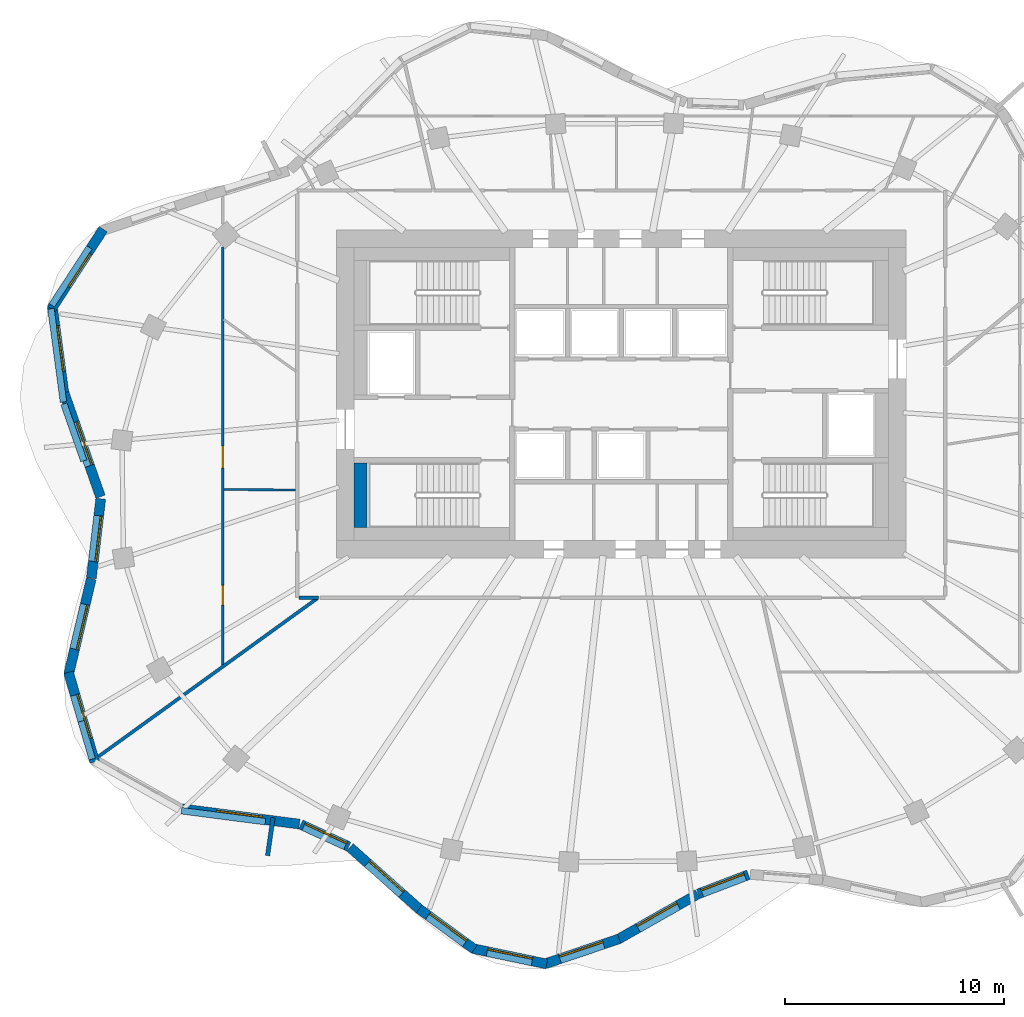
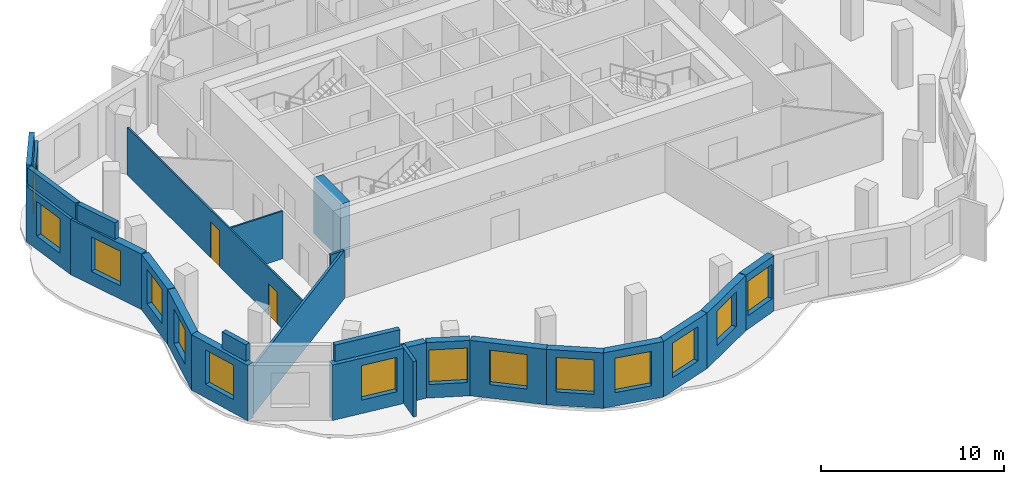
# One storey, part 3 of 9: 25 walls, 14 windows, 2 doors, 16 openings.
"""IFC4 building model written with IfcOpenShell, lengths in metres."""

from ifc_helpers import new_model, si_unit, direction, frame, frame_2d, origin, place, context, subcontext, project, spatial, rectangle, extrude, material, layer, layer_set, type_object, element, fill, save


model = new_model("IFC4")

# Units and contexts
model_context = context("Model", 3, precision=1e-05, world=origin(), true_north=direction((0.0, 1.0)))
body_context = subcontext(model_context, "Body", "Model", "MODEL_VIEW")
ifc_project = project(units=[si_unit("LENGTHUNIT", "METRE"), si_unit("AREAUNIT", "SQUARE_METRE"), si_unit("VOLUMEUNIT", "CUBIC_METRE"), si_unit("PLANEANGLEUNIT", "RADIAN"), si_unit("MASSUNIT", "GRAM", prefix="KILO")], contexts=[model_context])

# Site, building, storey
site_placement = place(None, origin())
site = spatial("IfcSite", under=ifc_project, at=site_placement, CompositionType="ELEMENT")
building_placement = place(site_placement, origin())
building = spatial("IfcBuilding", under=site, at=building_placement, Name="Rubra Terraces Tower", CompositionType="ELEMENT")
storey_placement = place(building_placement, frame((0.0, 0.0, 272.699951171875)))
storey = spatial("IfcBuildingStorey", under=building, at=storey_placement, Name="L67", CompositionType="ELEMENT", Elevation=272.699951171875)

# Wall, opening, window
ifc_material_1 = material(Name="Brick masonry red-brown", Category="masonry")
ifc_layer_1 = layer(ifc_material_1, 0.449951171875)
ifc_layer_set_1 = layer_set([ifc_layer_1], Name="Brick masonry red-brown")
wall_type_1 = type_object("IfcWallType", Name="Brick facade wall 450", PredefinedType="SOLIDWALL", material=ifc_layer_set_1)
wall_1_placement = place(storey_placement, frame((-23.656494140625, 12.027099609375, 0.0), z_axis=(0.0, 0.0, 1.0), x_axis=(-0.545637310328, -0.838021435035, 0.0)))
wall_1 = element("IfcWall", 1, at=wall_1_placement, inside=storey, type_object=wall_type_1, Name="Facade wall L67 bay 18", PredefinedType="SOLIDWALL", context=body_context, shape_type="SweptSolid", body=[
    extrude(rectangle(XDim=4.336181640625, YDim=0.449951171875, at=frame_2d((2.16796875, 0.0))), origin(), (0.0, 0.0, 1.0), 3.699951171875),
])
opening_1_placement = place(wall_1_placement, frame((1.268310546875, 0.0, 0.89990234375)))
opening_1 = element("IfcOpeningElement", 2, at=opening_1_placement, cuts=wall_1, Name="Opening W6B", PredefinedType="OPENING", context=body_context, shape_type="SweptSolid", body=[
    extrude(rectangle(XDim=1.800048828125, YDim=2.300048828125, at=frame_2d((0.89990234375, 1.14990234375))), frame((0.0, 0.23486328125, 0.0), z_axis=(0.0, -1.0, 0.0), x_axis=(1.0, 0.0, 0.0)), (0.0, 0.0, 1.0), 0.469970703125),
])
ifc_material_2 = material(Name="Clear glass in aluminium frame", Category="aluminium")
window_type_1 = type_object("IfcWindowType", Name="Fixed deep-set window at wind fin tall storey 1800 x 2300", PartitioningType="SINGLE_PANEL", PredefinedType="WINDOW", material=ifc_material_2)
window_1_placement = place(opening_1_placement, origin())
window_1 = element("IfcWindow", 3, at=window_1_placement, inside=storey, type_object=window_type_1, Name="Window L67 bay 18", OverallHeight=2.300048828125, OverallWidth=1.800048828125, PartitioningType="SINGLE_PANEL", PredefinedType="WINDOW", context=body_context, shape_type="SweptSolid", body=[
    extrude(rectangle(XDim=1.800048828125, YDim=2.300048828125, at=frame_2d((0.89990234375, 1.14990234375))), frame((0.0, 0.135009765625, 0.0), z_axis=(0.0, -1.0, 0.0), x_axis=(1.0, 0.0, 0.0)), (0.0, 0.0, 1.0), 0.06005859375),
])
fill(opening_1, window_1)

wall_2_placement = place(storey_placement, frame((-25.988037109375, 8.5458984375, 0.0), z_axis=(0.0, 0.0, 1.0), x_axis=(0.132518904574, -0.991180477981, 0.0)))
wall_2 = element("IfcWall", 4, at=wall_2_placement, inside=storey, type_object=wall_type_1, Name="Facade wall L67 bay 19", PredefinedType="SOLIDWALL", context=body_context, shape_type="SweptSolid", body=[
    extrude(rectangle(XDim=4.007080078125, YDim=0.449951171875, at=frame_2d((2.00341796875, 0.0))), origin(), (0.0, 0.0, 1.0), 3.699951171875),
])
opening_2_placement = place(wall_2_placement, frame((0.95361328125, 0.0, 0.89990234375)))
opening_2 = element("IfcOpeningElement", 5, at=opening_2_placement, cuts=wall_2, Name="Opening W1B", PredefinedType="OPENING", context=body_context, shape_type="SweptSolid", body=[
    extrude(rectangle(XDim=2.10009765625, YDim=2.300048828125, at=frame_2d((1.050048828125, 1.14990234375))), frame((0.0, 0.23486328125, 0.0), z_axis=(0.0, -1.0, 0.0), x_axis=(1.0, 0.0, 0.0)), (0.0, 0.0, 1.0), 0.469970703125),
])
window_type_2 = type_object("IfcWindowType", Name="Fixed deep-set window tall storey 2100 x 2300", PartitioningType="SINGLE_PANEL", PredefinedType="WINDOW", material=ifc_material_2)
window_2_placement = place(opening_2_placement, origin())
window_2 = element("IfcWindow", 6, at=window_2_placement, inside=storey, type_object=window_type_2, Name="Window L67 bay 19", OverallHeight=2.300048828125, OverallWidth=2.10009765625, PartitioningType="SINGLE_PANEL", PredefinedType="WINDOW", context=body_context, shape_type="SweptSolid", body=[
    extrude(rectangle(XDim=2.10009765625, YDim=2.300048828125, at=frame_2d((1.050048828125, 1.14990234375))), frame((0.0, 0.135009765625, 0.0), z_axis=(0.0, -1.0, 0.0), x_axis=(1.0, 0.0, 0.0)), (0.0, 0.0, 1.0), 0.06005859375),
])
fill(opening_2, window_2)

wall_3_placement = place(storey_placement, frame((-25.4677734375, 4.618896484375, 0.0), z_axis=(0.0, 0.0, 1.0), x_axis=(0.330751636181, -0.943717836625, 0.0)))
wall_3 = element("IfcWall", 7, at=wall_3_placement, inside=storey, type_object=wall_type_1, Name="Facade wall L67 bay 20", PredefinedType="SOLIDWALL", context=body_context, shape_type="SweptSolid", body=[
    extrude(rectangle(XDim=5.095458984375, YDim=0.449951171875, at=frame_2d((2.5478515625, 0.0))), origin(), (0.0, 0.0, 1.0), 3.699951171875),
])
opening_3_placement = place(wall_3_placement, frame((1.497802734375, 0.0, 0.89990234375)))
opening_3 = element("IfcOpeningElement", 8, at=opening_3_placement, cuts=wall_3, Name="Opening W1B", PredefinedType="OPENING", context=body_context, shape_type="SweptSolid", body=[
    extrude(rectangle(XDim=2.10009765625, YDim=2.300048828125, at=frame_2d((1.050048828125, 1.14990234375))), frame((0.0, 0.23486328125, 0.0), z_axis=(0.0, -1.0, 0.0), x_axis=(1.0, 0.0, 0.0)), (0.0, 0.0, 1.0), 0.469970703125),
])
window_3_placement = place(opening_3_placement, origin())
window_3 = element("IfcWindow", 9, at=window_3_placement, inside=storey, type_object=window_type_2, Name="Window L67 bay 20", OverallHeight=2.300048828125, OverallWidth=2.10009765625, PartitioningType="SINGLE_PANEL", PredefinedType="WINDOW", context=body_context, shape_type="SweptSolid", body=[
    extrude(rectangle(XDim=2.10009765625, YDim=2.300048828125, at=frame_2d((1.050048828125, 1.14990234375))), frame((0.0, 0.135009765625, 0.0), z_axis=(0.0, -1.0, 0.0), x_axis=(1.0, 0.0, 0.0)), (0.0, 0.0, 1.0), 0.06005859375),
])
fill(opening_3, window_3)

wall_4_placement = place(storey_placement, frame((-23.7705078125, -0.283935546875, 0.0), z_axis=(0.0, 0.0, 1.0), x_axis=(-0.11770503458, -0.993048601446, 0.0)))
wall_4 = element("IfcWall", 10, at=wall_4_placement, inside=storey, type_object=wall_type_1, Name="Facade wall L67 bay 21", PredefinedType="SOLIDWALL", context=body_context, shape_type="SweptSolid", body=[
    extrude(rectangle(XDim=3.65673828125, YDim=0.449951171875, at=frame_2d((1.828369140625, 0.0))), origin(), (0.0, 0.0, 1.0), 3.699951171875),
])
opening_4_placement = place(wall_4_placement, frame((0.7783203125, 0.0, 0.89990234375)))
opening_4 = element("IfcOpeningElement", 11, at=opening_4_placement, cuts=wall_4, Name="Opening W1B", PredefinedType="OPENING", context=body_context, shape_type="SweptSolid", body=[
    extrude(rectangle(XDim=2.10009765625, YDim=2.300048828125, at=frame_2d((1.050048828125, 1.14990234375))), frame((0.0, 0.23486328125, 0.0), z_axis=(0.0, -1.0, 0.0), x_axis=(1.0, 0.0, 0.0)), (0.0, 0.0, 1.0), 0.469970703125),
])
window_4_placement = place(opening_4_placement, origin())
window_4 = element("IfcWindow", 12, at=window_4_placement, inside=storey, type_object=window_type_2, Name="Window L67 bay 21", OverallHeight=2.300048828125, OverallWidth=2.10009765625, PartitioningType="SINGLE_PANEL", PredefinedType="WINDOW", context=body_context, shape_type="SweptSolid", body=[
    extrude(rectangle(XDim=2.10009765625, YDim=2.300048828125, at=frame_2d((1.050048828125, 1.14990234375))), frame((0.0, 0.135009765625, 0.0), z_axis=(0.0, -1.0, 0.0), x_axis=(1.0, 0.0, 0.0)), (0.0, 0.0, 1.0), 0.06005859375),
])
fill(opening_4, window_4)

wall_5_placement = place(storey_placement, frame((-24.204833984375, -3.942138671875, 0.0), z_axis=(0.0, 0.0, 1.0), x_axis=(-0.230089011282, -0.973169587938, 0.0)))
wall_5 = element("IfcWall", 13, at=wall_5_placement, inside=storey, type_object=wall_type_1, Name="Facade wall L67 bay 22", PredefinedType="SOLIDWALL", context=body_context, shape_type="SweptSolid", body=[
    extrude(rectangle(XDim=4.497802734375, YDim=0.449951171875, at=frame_2d((2.2490234375, 0.0))), origin(), (0.0, 0.0, 1.0), 3.699951171875),
])
opening_5_placement = place(wall_5_placement, frame((1.198974609375, 0.0, 0.89990234375)))
opening_5 = element("IfcOpeningElement", 14, at=opening_5_placement, cuts=wall_5, Name="Opening W1B", PredefinedType="OPENING", context=body_context, shape_type="SweptSolid", body=[
    extrude(rectangle(XDim=2.10009765625, YDim=2.300048828125, at=frame_2d((1.050048828125, 1.14990234375))), frame((0.0, 0.23486328125, 0.0), z_axis=(0.0, -1.0, 0.0), x_axis=(1.0, 0.0, 0.0)), (0.0, 0.0, 1.0), 0.469970703125),
])
window_5_placement = place(opening_5_placement, origin())
window_5 = element("IfcWindow", 15, at=window_5_placement, inside=storey, type_object=window_type_2, Name="Window L67 bay 22", OverallHeight=2.300048828125, OverallWidth=2.10009765625, PartitioningType="SINGLE_PANEL", PredefinedType="WINDOW", context=body_context, shape_type="SweptSolid", body=[
    extrude(rectangle(XDim=2.10009765625, YDim=2.300048828125, at=frame_2d((1.050048828125, 1.14990234375))), frame((0.0, 0.135009765625, 0.0), z_axis=(0.0, -1.0, 0.0), x_axis=(1.0, 0.0, 0.0)), (0.0, 0.0, 1.0), 0.06005859375),
])
fill(opening_5, window_5)

wall_6_placement = place(storey_placement, frame((-25.244140625, -8.209716796875, 0.0), z_axis=(0.0, 0.0, 1.0), x_axis=(0.281381418228, -0.95959600743, 0.0)))
wall_6 = element("IfcWall", 16, at=wall_6_placement, inside=storey, type_object=wall_type_1, Name="Facade wall L67 bay 23", PredefinedType="SOLIDWALL", context=body_context, shape_type="SweptSolid", body=[
    extrude(rectangle(XDim=4.260986328125, YDim=0.449951171875, at=frame_2d((2.13037109375, 0.0))), origin(), (0.0, 0.0, 1.0), 3.699951171875),
])
opening_6_placement = place(wall_6_placement, frame((1.08056640625, 0.0, 0.89990234375)))
opening_6 = element("IfcOpeningElement", 17, at=opening_6_placement, cuts=wall_6, Name="Opening W1B", PredefinedType="OPENING", context=body_context, shape_type="SweptSolid", body=[
    extrude(rectangle(XDim=2.10009765625, YDim=2.300048828125, at=frame_2d((1.050048828125, 1.14990234375))), frame((0.0, 0.23486328125, 0.0), z_axis=(0.0, -1.0, 0.0), x_axis=(1.0, 0.0, 0.0)), (0.0, 0.0, 1.0), 0.469970703125),
])
window_6_placement = place(opening_6_placement, origin())
window_6 = element("IfcWindow", 18, at=window_6_placement, inside=storey, type_object=window_type_2, Name="Window L67 bay 23", OverallHeight=2.300048828125, OverallWidth=2.10009765625, PartitioningType="SINGLE_PANEL", PredefinedType="WINDOW", context=body_context, shape_type="SweptSolid", body=[
    extrude(rectangle(XDim=2.10009765625, YDim=2.300048828125, at=frame_2d((1.050048828125, 1.14990234375))), frame((0.0, 0.135009765625, 0.0), z_axis=(0.0, -1.0, 0.0), x_axis=(1.0, 0.0, 0.0)), (0.0, 0.0, 1.0), 0.06005859375),
])
fill(opening_6, window_6)

wall_7_placement = place(storey_placement, frame((-20.197998046875, -14.427001953125, 0.0), z_axis=(0.0, 0.0, 1.0), x_axis=(0.991632531946, -0.129092686027, 0.0)))
wall_7 = element("IfcWall", 19, at=wall_7_placement, inside=storey, type_object=wall_type_1, Name="Facade wall L67 bay 25", PredefinedType="SOLIDWALL", context=body_context, shape_type="SweptSolid", body=[
    extrude(rectangle(XDim=5.546875, YDim=0.449951171875, at=frame_2d((2.7734375, 0.0))), origin(), (0.0, 0.0, 1.0), 3.699951171875),
])
opening_7_placement = place(wall_7_placement, frame((1.723388671875, 0.0, 0.89990234375)))
opening_7 = element("IfcOpeningElement", 20, at=opening_7_placement, cuts=wall_7, Name="Opening W1B", PredefinedType="OPENING", context=body_context, shape_type="SweptSolid", body=[
    extrude(rectangle(XDim=2.10009765625, YDim=2.300048828125, at=frame_2d((1.050048828125, 1.14990234375))), frame((0.0, 0.23486328125, 0.0), z_axis=(0.0, -1.0, 0.0), x_axis=(1.0, 0.0, 0.0)), (0.0, 0.0, 1.0), 0.469970703125),
])
window_7_placement = place(opening_7_placement, origin())
window_7 = element("IfcWindow", 21, at=window_7_placement, inside=storey, type_object=window_type_2, Name="Window L67 bay 25", OverallHeight=2.300048828125, OverallWidth=2.10009765625, PartitioningType="SINGLE_PANEL", PredefinedType="WINDOW", context=body_context, shape_type="SweptSolid", body=[
    extrude(rectangle(XDim=2.10009765625, YDim=2.300048828125, at=frame_2d((1.050048828125, 1.14990234375))), frame((0.0, 0.135009765625, 0.0), z_axis=(0.0, -1.0, 0.0), x_axis=(1.0, 0.0, 0.0)), (0.0, 0.0, 1.0), 0.06005859375),
])
fill(opening_7, window_7)

wall_8_placement = place(storey_placement, frame((-14.632568359375, -15.16162109375, 0.0), z_axis=(0.0, 0.0, 1.0), x_axis=(0.908483528811, -0.417920659791, 0.0)))
wall_8 = element("IfcWall", 22, at=wall_8_placement, inside=storey, type_object=wall_type_1, Name="Facade wall L67 bay 26", PredefinedType="SOLIDWALL", context=body_context, shape_type="SweptSolid", body=[
    extrude(rectangle(XDim=2.40966796875, YDim=0.449951171875, at=frame_2d((1.204833984375, 0.0))), origin(), (0.0, 0.0, 1.0), 3.699951171875),
])
opening_8_placement = place(wall_8_placement, frame((0.15478515625, 0.0, 0.89990234375)))
opening_8 = element("IfcOpeningElement", 23, at=opening_8_placement, cuts=wall_8, Name="Opening W1B", PredefinedType="OPENING", context=body_context, shape_type="SweptSolid", body=[
    extrude(rectangle(XDim=2.10009765625, YDim=2.300048828125, at=frame_2d((1.050048828125, 1.14990234375))), frame((0.0, 0.23486328125, 0.0), z_axis=(0.0, -1.0, 0.0), x_axis=(1.0, 0.0, 0.0)), (0.0, 0.0, 1.0), 0.469970703125),
])
window_8_placement = place(opening_8_placement, origin())
window_8 = element("IfcWindow", 24, at=window_8_placement, inside=storey, type_object=window_type_2, Name="Window L67 bay 26", OverallHeight=2.300048828125, OverallWidth=2.10009765625, PartitioningType="SINGLE_PANEL", PredefinedType="WINDOW", context=body_context, shape_type="SweptSolid", body=[
    extrude(rectangle(XDim=2.10009765625, YDim=2.300048828125, at=frame_2d((1.050048828125, 1.14990234375))), frame((0.0, 0.135009765625, 0.0), z_axis=(0.0, -1.0, 0.0), x_axis=(1.0, 0.0, 0.0)), (0.0, 0.0, 1.0), 0.06005859375),
])
fill(opening_8, window_8)

wall_9_placement = place(storey_placement, frame((-12.3876953125, -16.205078125, 0.0), z_axis=(0.0, 0.0, 1.0), x_axis=(0.747390315923, -0.66438521632, 0.0)))
wall_9 = element("IfcWall", 25, at=wall_9_placement, inside=storey, type_object=wall_type_1, Name="Facade wall L67 bay 27", PredefinedType="SOLIDWALL", context=body_context, shape_type="SweptSolid", body=[
    extrude(rectangle(XDim=4.253173828125, YDim=0.449951171875, at=frame_2d((2.12646484375, 0.0))), origin(), (0.0, 0.0, 1.0), 3.699951171875),
])
opening_9_placement = place(wall_9_placement, frame((1.07666015625, 0.0, 0.89990234375)))
opening_9 = element("IfcOpeningElement", 26, at=opening_9_placement, cuts=wall_9, Name="Opening W1B", PredefinedType="OPENING", context=body_context, shape_type="SweptSolid", body=[
    extrude(rectangle(XDim=2.10009765625, YDim=2.300048828125, at=frame_2d((1.050048828125, 1.14990234375))), frame((0.0, 0.23486328125, 0.0), z_axis=(0.0, -1.0, 0.0), x_axis=(1.0, 0.0, 0.0)), (0.0, 0.0, 1.0), 0.469970703125),
])
window_9_placement = place(opening_9_placement, origin())
window_9 = element("IfcWindow", 27, at=window_9_placement, inside=storey, type_object=window_type_2, Name="Window L67 bay 27", OverallHeight=2.300048828125, OverallWidth=2.10009765625, PartitioningType="SINGLE_PANEL", PredefinedType="WINDOW", context=body_context, shape_type="SweptSolid", body=[
    extrude(rectangle(XDim=2.10009765625, YDim=2.300048828125, at=frame_2d((1.050048828125, 1.14990234375))), frame((0.0, 0.135009765625, 0.0), z_axis=(0.0, -1.0, 0.0), x_axis=(1.0, 0.0, 0.0)), (0.0, 0.0, 1.0), 0.06005859375),
])
fill(opening_9, window_9)

wall_10_placement = place(storey_placement, frame((-9.2255859375, -19.017333984375, 0.0), z_axis=(0.0, 0.0, 1.0), x_axis=(0.806924019806, -0.590655251615, 0.0)))
wall_10 = element("IfcWall", 28, at=wall_10_placement, inside=storey, type_object=wall_type_1, Name="Facade wall L67 bay 28", PredefinedType="SOLIDWALL", context=body_context, shape_type="SweptSolid", body=[
    extrude(rectangle(XDim=3.12353515625, YDim=0.449951171875, at=frame_2d((1.561767578125, 0.0))), origin(), (0.0, 0.0, 1.0), 3.699951171875),
])
opening_10_placement = place(wall_10_placement, frame((0.511962890625, 0.0, 0.89990234375)))
opening_10 = element("IfcOpeningElement", 29, at=opening_10_placement, cuts=wall_10, Name="Opening W1B", PredefinedType="OPENING", context=body_context, shape_type="SweptSolid", body=[
    extrude(rectangle(XDim=2.10009765625, YDim=2.300048828125, at=frame_2d((1.050048828125, 1.14990234375))), frame((0.0, 0.23486328125, 0.0), z_axis=(0.0, -1.0, 0.0), x_axis=(1.0, 0.0, 0.0)), (0.0, 0.0, 1.0), 0.469970703125),
])
window_10_placement = place(opening_10_placement, origin())
window_10 = element("IfcWindow", 30, at=window_10_placement, inside=storey, type_object=window_type_2, Name="Window L67 bay 28", OverallHeight=2.300048828125, OverallWidth=2.10009765625, PartitioningType="SINGLE_PANEL", PredefinedType="WINDOW", context=body_context, shape_type="SweptSolid", body=[
    extrude(rectangle(XDim=2.10009765625, YDim=2.300048828125, at=frame_2d((1.050048828125, 1.14990234375))), frame((0.0, 0.135009765625, 0.0), z_axis=(0.0, -1.0, 0.0), x_axis=(1.0, 0.0, 0.0)), (0.0, 0.0, 1.0), 0.06005859375),
])
fill(opening_10, window_10)

wall_11_placement = place(storey_placement, frame((-6.7919921875, -20.82373046875, 0.0), z_axis=(0.0, 0.0, 1.0), x_axis=(0.978915912181, -0.204263645512, 0.0)))
wall_11 = element("IfcWall", 31, at=wall_11_placement, inside=storey, type_object=wall_type_1, Name="Facade wall L67 bay 29", PredefinedType="SOLIDWALL", context=body_context, shape_type="SweptSolid", body=[
    extrude(rectangle(XDim=3.466064453125, YDim=0.449951171875, at=frame_2d((1.73291015625, 0.0))), origin(), (0.0, 0.0, 1.0), 3.699951171875),
])
opening_11_placement = place(wall_11_placement, frame((0.68310546875, 0.0, 0.89990234375)))
opening_11 = element("IfcOpeningElement", 32, at=opening_11_placement, cuts=wall_11, Name="Opening W1B", PredefinedType="OPENING", context=body_context, shape_type="SweptSolid", body=[
    extrude(rectangle(XDim=2.10009765625, YDim=2.300048828125, at=frame_2d((1.050048828125, 1.14990234375))), frame((0.0, 0.23486328125, 0.0), z_axis=(0.0, -1.0, 0.0), x_axis=(1.0, 0.0, 0.0)), (0.0, 0.0, 1.0), 0.469970703125),
])
window_11_placement = place(opening_11_placement, origin())
window_11 = element("IfcWindow", 33, at=window_11_placement, inside=storey, type_object=window_type_2, Name="Window L67 bay 29", OverallHeight=2.300048828125, OverallWidth=2.10009765625, PartitioningType="SINGLE_PANEL", PredefinedType="WINDOW", context=body_context, shape_type="SweptSolid", body=[
    extrude(rectangle(XDim=2.10009765625, YDim=2.300048828125, at=frame_2d((1.050048828125, 1.14990234375))), frame((0.0, 0.135009765625, 0.0), z_axis=(0.0, -1.0, 0.0), x_axis=(1.0, 0.0, 0.0)), (0.0, 0.0, 1.0), 0.06005859375),
])
fill(opening_11, window_11)

wall_12_placement = place(storey_placement, frame((-3.51708984375, -21.538818359375, 0.0), z_axis=(0.0, 0.0, 1.0), x_axis=(0.947310857828, 0.320315685911, 0.0)))
wall_12 = element("IfcWall", 34, at=wall_12_placement, inside=storey, type_object=wall_type_1, Name="Facade wall L67 bay 30", PredefinedType="SOLIDWALL", context=body_context, shape_type="SweptSolid", body=[
    extrude(rectangle(XDim=3.61669921875, YDim=0.449951171875, at=frame_2d((1.808349609375, 0.0))), origin(), (0.0, 0.0, 1.0), 3.699951171875),
])
opening_12_placement = place(wall_12_placement, frame((0.75830078125, 0.0, 0.89990234375)))
opening_12 = element("IfcOpeningElement", 35, at=opening_12_placement, cuts=wall_12, Name="Opening W1B", PredefinedType="OPENING", context=body_context, shape_type="SweptSolid", body=[
    extrude(rectangle(XDim=2.10009765625, YDim=2.300048828125, at=frame_2d((1.050048828125, 1.14990234375))), frame((0.0, 0.23486328125, 0.0), z_axis=(0.0, -1.0, 0.0), x_axis=(1.0, 0.0, 0.0)), (0.0, 0.0, 1.0), 0.469970703125),
])
window_12_placement = place(opening_12_placement, origin())
window_12 = element("IfcWindow", 36, at=window_12_placement, inside=storey, type_object=window_type_2, Name="Window L67 bay 30", OverallHeight=2.300048828125, OverallWidth=2.10009765625, PartitioningType="SINGLE_PANEL", PredefinedType="WINDOW", context=body_context, shape_type="SweptSolid", body=[
    extrude(rectangle(XDim=2.10009765625, YDim=2.300048828125, at=frame_2d((1.050048828125, 1.14990234375))), frame((0.0, 0.135009765625, 0.0), z_axis=(0.0, -1.0, 0.0), x_axis=(1.0, 0.0, 0.0)), (0.0, 0.0, 1.0), 0.06005859375),
])
fill(opening_12, window_12)

wall_13_placement = place(storey_placement, frame((-0.1298828125, -20.397705078125, 0.0), z_axis=(0.0, 0.0, 1.0), x_axis=(0.869822607726, 0.493364602589, 0.0)))
wall_13 = element("IfcWall", 37, at=wall_13_placement, inside=storey, type_object=wall_type_1, Name="Facade wall L67 bay 31", PredefinedType="SOLIDWALL", context=body_context, shape_type="SweptSolid", body=[
    extrude(rectangle(XDim=4.1640625, YDim=0.449951171875, at=frame_2d((2.08203125, 0.0))), origin(), (0.0, 0.0, 1.0), 3.699951171875),
])
opening_13_placement = place(wall_13_placement, frame((1.0322265625, 0.0, 0.89990234375)))
opening_13 = element("IfcOpeningElement", 38, at=opening_13_placement, cuts=wall_13, Name="Opening W1B", PredefinedType="OPENING", context=body_context, shape_type="SweptSolid", body=[
    extrude(rectangle(XDim=2.10009765625, YDim=2.300048828125, at=frame_2d((1.050048828125, 1.14990234375))), frame((0.0, 0.23486328125, 0.0), z_axis=(0.0, -1.0, 0.0), x_axis=(1.0, 0.0, 0.0)), (0.0, 0.0, 1.0), 0.469970703125),
])
window_13_placement = place(opening_13_placement, origin())
window_13 = element("IfcWindow", 39, at=window_13_placement, inside=storey, type_object=window_type_2, Name="Window L67 bay 31", OverallHeight=2.300048828125, OverallWidth=2.10009765625, PartitioningType="SINGLE_PANEL", PredefinedType="WINDOW", context=body_context, shape_type="SweptSolid", body=[
    extrude(rectangle(XDim=2.10009765625, YDim=2.300048828125, at=frame_2d((1.050048828125, 1.14990234375))), frame((0.0, 0.135009765625, 0.0), z_axis=(0.0, -1.0, 0.0), x_axis=(1.0, 0.0, 0.0)), (0.0, 0.0, 1.0), 0.06005859375),
])
fill(opening_13, window_13)

wall_14_placement = place(storey_placement, frame((3.52294921875, -18.328857421875, 0.0), z_axis=(0.0, 0.0, 1.0), x_axis=(0.934127137656, 0.356940458193, 0.0)))
wall_14 = element("IfcWall", 40, at=wall_14_placement, inside=storey, type_object=wall_type_1, Name="Facade wall L67 bay 32", PredefinedType="SOLIDWALL", context=body_context, shape_type="SweptSolid", body=[
    extrude(rectangle(XDim=2.44873046875, YDim=0.449951171875, at=frame_2d((1.224365234375, 0.0))), origin(), (0.0, 0.0, 1.0), 3.699951171875),
])
opening_14_placement = place(wall_14_placement, frame((0.17431640625, 0.0, 0.89990234375)))
opening_14 = element("IfcOpeningElement", 41, at=opening_14_placement, cuts=wall_14, Name="Opening W1B", PredefinedType="OPENING", context=body_context, shape_type="SweptSolid", body=[
    extrude(rectangle(XDim=2.10009765625, YDim=2.300048828125, at=frame_2d((1.050048828125, 1.14990234375))), frame((0.0, 0.23486328125, 0.0), z_axis=(0.0, -1.0, 0.0), x_axis=(1.0, 0.0, 0.0)), (0.0, 0.0, 1.0), 0.469970703125),
])
window_14_placement = place(opening_14_placement, origin())
window_14 = element("IfcWindow", 42, at=window_14_placement, inside=storey, type_object=window_type_2, Name="Window L67 bay 32", OverallHeight=2.300048828125, OverallWidth=2.10009765625, PartitioningType="SINGLE_PANEL", PredefinedType="WINDOW", context=body_context, shape_type="SweptSolid", body=[
    extrude(rectangle(XDim=2.10009765625, YDim=2.300048828125, at=frame_2d((1.050048828125, 1.14990234375))), frame((0.0, 0.135009765625, 0.0), z_axis=(0.0, -1.0, 0.0), x_axis=(1.0, 0.0, 0.0)), (0.0, 0.0, 1.0), 0.06005859375),
])
fill(opening_14, window_14)

# Walls
ifc_layer_2 = layer(ifc_material_1, 0.300048828125)
ifc_layer_set_2 = layer_set([ifc_layer_2], Name="Brick masonry red-brown")
wall_type_2 = type_object("IfcWallType", Name="Brick parapet 300", PredefinedType="PARAPET", material=ifc_layer_set_2)
wall_15_placement = place(storey_placement, frame((-24.288818359375, 11.193359375, 3.900146484375), z_axis=(0.0, 0.0, 1.0), x_axis=(-0.545639010101, -0.838020328307, 0.0)))
element("IfcWall", 43, at=wall_15_placement, inside=storey, type_object=wall_type_2, Name="Parapet L67 bay 18", PredefinedType="PARAPET", context=body_context, shape_type="SweptSolid", body=[
    extrude(rectangle(XDim=3.1513671875, YDim=0.300048828125, at=frame_2d((1.57568359375, 0.0))), origin(), (0.0, 0.0, 1.0), 1.099853515625),
])
wall_16_placement = place(storey_placement, frame((-26.043701171875, 8.39599609375, 3.900146484375), z_axis=(0.0, 0.0, 1.0), x_axis=(0.132506125812, -0.991182186393, 0.0)))
element("IfcWall", 44, at=wall_16_placement, inside=storey, type_object=wall_type_2, Name="Parapet L67 bay 19", PredefinedType="PARAPET", context=body_context, shape_type="SweptSolid", body=[
    extrude(rectangle(XDim=4.296630859375, YDim=0.300048828125, at=frame_2d((2.1484375, 0.0))), origin(), (0.0, 0.0, 1.0), 1.099853515625),
])
wall_17_placement = place(storey_placement, frame((-25.453369140625, 4.04931640625, 3.900146484375), z_axis=(0.0, 0.0, 1.0), x_axis=(0.330796777865, -0.943702014279, 0.0)))
element("IfcWall", 45, at=wall_17_placement, inside=storey, type_object=wall_type_2, Name="Parapet L67 bay 20", PredefinedType="PARAPET", context=body_context, shape_type="SweptSolid", body=[
    extrude(rectangle(XDim=2.7529296875, YDim=0.300048828125, at=frame_2d((1.37646484375, 0.0))), origin(), (0.0, 0.0, 1.0), 1.099853515625),
])
wall_18_placement = place(storey_placement, frame((-24.665771484375, -10.44873046875, 3.900146484375), z_axis=(0.0, 0.0, 1.0), x_axis=(0.281438565612, -0.95957924831, 0.0)))
element("IfcWall", 46, at=wall_18_placement, inside=storey, type_object=wall_type_2, Name="Parapet L67 bay 23", PredefinedType="PARAPET", context=body_context, shape_type="SweptSolid", body=[
    extrude(rectangle(XDim=1.79833984375, YDim=0.300048828125, at=frame_2d((0.899169921875, 0.0))), origin(), (0.0, 0.0, 1.0), 1.099853515625),
])
wall_19_placement = place(storey_placement, frame((-20.084716796875, -14.53271484375, 3.900146484375), z_axis=(0.0, 0.0, 1.0), x_axis=(0.991634533608, -0.129077309221, 0.0)))
element("IfcWall", 47, at=wall_19_placement, inside=storey, type_object=wall_type_2, Name="Parapet L67 bay 25", PredefinedType="PARAPET", context=body_context, shape_type="SweptSolid", body=[
    extrude(rectangle(XDim=3.865966796875, YDim=0.300048828125, at=frame_2d((1.93310546875, 0.0))), origin(), (0.0, 0.0, 1.0), 1.099853515625),
])
ifc_layer_3 = layer(ifc_material_1, 0.199951171875)
ifc_layer_set_3 = layer_set([ifc_layer_3], Name="Brick masonry red-brown")
wall_type_3 = type_object("IfcWallType", Name="Brick wind fin 200", PredefinedType="SOLIDWALL", material=ifc_layer_set_3)
wall_20_placement = place(storey_placement, frame((-15.905029296875, -14.85009765625, 0.0), z_axis=(0.0, 0.0, 1.0), x_axis=(-0.140913490987, -0.990021912918, 0.0)))
element("IfcWall", 48, at=wall_20_placement, inside=storey, type_object=wall_type_3, Name="Wind fin L67 13", PredefinedType="SOLIDWALL", context=body_context, shape_type="SweptSolid", body=[
    extrude(rectangle(XDim=1.75, YDim=0.199951171875, at=frame_2d((0.875, 0.0))), origin(), (0.0, 0.0, 1.0), 3.699951171875),
])
ifc_material_3 = material(Name="Plasterboard on steel stud, mineral wool infill", Category="steel")
ifc_layer_4 = layer(ifc_material_3, 0.14990234375)
ifc_layer_set_4 = layer_set([ifc_layer_4], Name="Plasterboard on steel stud, mineral wool infill")
wall_type_4 = type_object("IfcWallType", Name="CORRIDOR PARTITION 150", PredefinedType="PARTITIONING", material=ifc_layer_set_4)
wall_21_placement = place(storey_placement, frame((-14.72509765625, -4.800048828125, 0.0), z_axis=(0.0, 0.0, 1.0), x_axis=(1.0, 0.0, 0.0)))
element("IfcWall", 49, at=wall_21_placement, inside=storey, type_object=wall_type_4, Name="PARTITION", PredefinedType="PARTITIONING", context=body_context, shape_type="SweptSolid", body=[
    extrude(rectangle(XDim=0.8896484375, YDim=0.14990234375, at=frame_2d((0.44482421875, 0.0))), origin(), (0.0, 0.0, 1.0), 3.197998046875),
])
ifc_material_4 = material(Name="Concrete C40", Category="concrete")
ifc_layer_5 = layer(ifc_material_4, 0.60009765625)
ifc_layer_set_5 = layer_set([ifc_layer_5], Name="Concrete C40")
wall_type_5 = type_object("IfcWallType", Name="Core lining wall 600 concrete", PredefinedType="SOLIDWALL", material=ifc_layer_set_5)
wall_22_placement = place(storey_placement, frame((-11.89990234375, -1.60009765625, 0.0), z_axis=(0.0, 0.0, 1.0), x_axis=(0.0, 1.0, 0.0)))
element("IfcWall", 50, at=wall_22_placement, inside=storey, type_object=wall_type_5, Name="CORE LINING WALL L67", PredefinedType="SOLIDWALL", context=body_context, shape_type="SweptSolid", body=[
    extrude(rectangle(XDim=2.9501953125, YDim=0.60009765625, at=frame_2d((1.47509765625, 0.0))), origin(), (0.0, 0.0, 1.0), 3.699951171875),
])

# Wall, openings, doors
ifc_material_5 = material(Name="Plasterboard on steel stud", Category="steel")
ifc_layer_6 = layer(ifc_material_5, 0.10009765625)
ifc_layer_set_6 = layer_set([ifc_layer_6], Name="Plasterboard on steel stud")
wall_type_6 = type_object("IfcWallType", Name="ROOM PARTITION 100", PredefinedType="PARTITIONING", material=ifc_layer_set_6)
wall_23_placement = place(storey_placement, frame((-18.199951171875, -7.929931640625, 0.0), z_axis=(0.0, 0.0, 1.0), x_axis=(0.0, 1.0, 0.0)))
wall_23 = element("IfcWall", 51, at=wall_23_placement, inside=storey, type_object=wall_type_6, Name="PARTITION", PredefinedType="PARTITIONING", context=body_context, shape_type="SweptSolid", body=[
    extrude(rectangle(XDim=19.154296875, YDim=0.10009765625, at=frame_2d((9.5771484375, 0.0))), origin(), (0.0, 0.0, 1.0), 3.18408203125),
])
opening_15_placement = place(wall_23_placement, frame((2.7900390625, 0.0, 0.0)))
opening_15 = element("IfcOpeningElement", 52, at=opening_15_placement, cuts=wall_23, Name="Opening 67-110", PredefinedType="OPENING", context=body_context, shape_type="SweptSolid", body=[
    extrude(rectangle(XDim=0.89990234375, YDim=2.10009765625, at=frame_2d((0.449951171875, 1.050048828125))), frame((0.0, 0.06005859375, 0.0), z_axis=(0.0, -1.0, 0.0), x_axis=(1.0, 0.0, 0.0)), (0.0, 0.0, 1.0), 0.1201171875),
])
opening_16_placement = place(wall_23_placement, frame((9.050048828125, 0.0, 0.0)))
opening_16 = element("IfcOpeningElement", 53, at=opening_16_placement, cuts=wall_23, Name="Opening 67-121", PredefinedType="OPENING", context=body_context, shape_type="SweptSolid", body=[
    extrude(rectangle(XDim=1.0, YDim=2.39990234375, at=frame_2d((0.5, 1.199951171875))), frame((0.0, 0.06005859375, 0.0), z_axis=(0.0, -1.0, 0.0), x_axis=(1.0, 0.0, 0.0)), (0.0, 0.0, 1.0), 0.1201171875),
])
ifc_material_6 = material(Name="Glazed aluminium meeting door leaf", Category="aluminium")
door_type_1 = type_object("IfcDoorType", Name="MEETING ROOM GLAZED DOOR 1000 X 2400", OperationType="SINGLE_SWING_LEFT", PredefinedType="DOOR", material=ifc_material_6)
door_1_placement = place(opening_16_placement, origin())
door_1 = element("IfcDoor", 54, at=door_1_placement, inside=storey, type_object=door_type_1, Name="DOOR 67-121", OperationType="SINGLE_SWING_LEFT", OverallHeight=2.39990234375, OverallWidth=1.0, PredefinedType="DOOR", context=body_context, shape_type="SweptSolid", body=[
    extrude(rectangle(XDim=1.0, YDim=2.39990234375, at=frame_2d((0.5, 1.199951171875))), frame((0.0, 0.02490234375, 0.0), z_axis=(0.0, -1.0, 0.0), x_axis=(1.0, 0.0, 0.0)), (0.0, 0.0, 1.0), 0.050048828125),
])
fill(opening_16, door_1)
ifc_material_7 = material(Name="Painted timber door leaf", Category="wood")
door_type_2 = type_object("IfcDoorType", Name="ROOM DOOR 900 X 2100", OperationType="SINGLE_SWING_LEFT", PredefinedType="DOOR", material=ifc_material_7)
door_2_placement = place(opening_15_placement, origin())
door_2 = element("IfcDoor", 55, at=door_2_placement, inside=storey, type_object=door_type_2, Name="DOOR 67-110", OperationType="SINGLE_SWING_LEFT", OverallHeight=2.10009765625, OverallWidth=0.89990234375, PredefinedType="DOOR", context=body_context, shape_type="SweptSolid", body=[
    extrude(rectangle(XDim=0.89990234375, YDim=2.10009765625, at=frame_2d((0.449951171875, 1.050048828125))), frame((0.0, 0.02490234375, 0.0), z_axis=(0.0, -1.0, 0.0), x_axis=(1.0, 0.0, 0.0)), (0.0, 0.0, 1.0), 0.050048828125),
])
fill(opening_15, door_2)

# Walls
wall_24_placement = place(storey_placement, frame((-14.875, 0.1162109375, 0.0), z_axis=(0.0, 0.0, 1.0), x_axis=(-0.999972213407, 0.007454690722, 0.0)))
element("IfcWall", 56, at=wall_24_placement, inside=storey, type_object=wall_type_6, Name="PARTITION", PredefinedType="PARTITIONING", context=body_context, shape_type="SweptSolid", body=[
    extrude(rectangle(XDim=3.27490234375, YDim=0.10009765625, at=frame_2d((1.637451171875, 0.0))), origin(), (0.0, 0.0, 1.0), 3.18408203125),
])
ifc_layer_7 = layer(ifc_material_5, 0.14990234375)
ifc_layer_set_7 = layer_set([ifc_layer_7], Name="Plasterboard on steel stud")
wall_type_7 = type_object("IfcWallType", Name="ROOM PARTITION 150", PredefinedType="PARTITIONING", material=ifc_layer_set_7)
wall_25_placement = place(storey_placement, frame((-23.876953125, -12.057861328125, 0.0), z_axis=(0.0, 0.0, 1.0), x_axis=(0.810464316252, 0.585788009506, 0.0)))
element("IfcWall", 57, at=wall_25_placement, inside=storey, type_object=wall_type_7, Name="PARTITION", PredefinedType="PARTITIONING", context=body_context, shape_type="SweptSolid", body=[
    extrude(rectangle(XDim=12.314697265625, YDim=0.14990234375, at=frame_2d((6.1572265625, 0.0))), origin(), (0.0, 0.0, 1.0), 3.197998046875),
])

save(model, "model.ifc")
